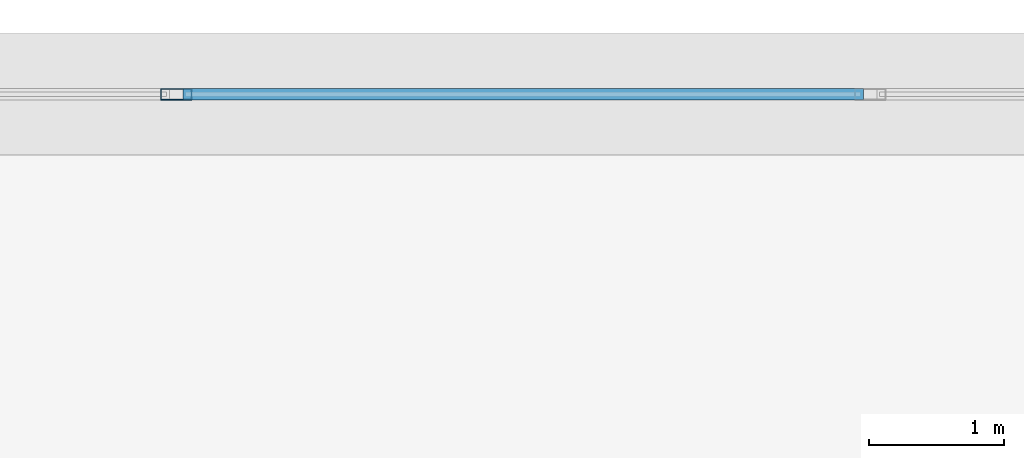
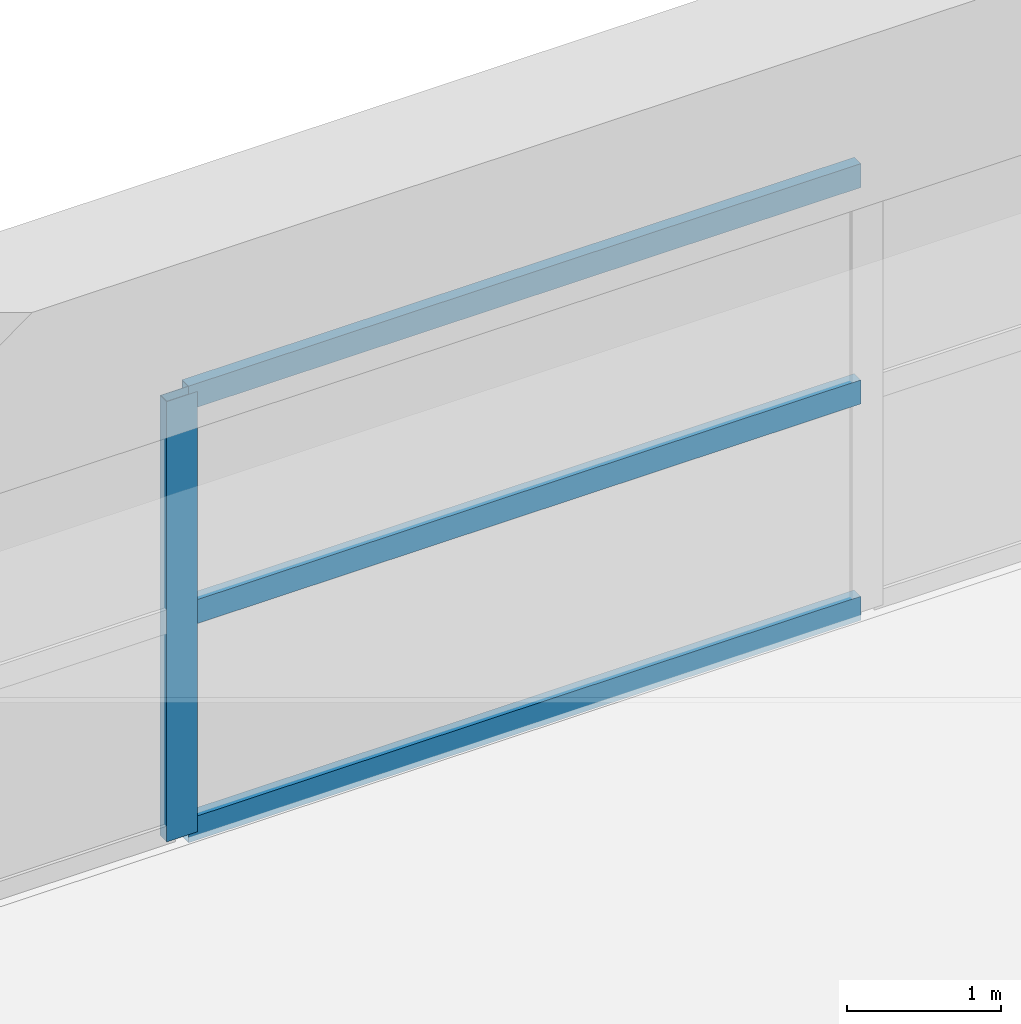
# One storey, part 17 of 35: 4 members, 1 element without a shape of its own.
"""IFC4 building model written with IfcOpenShell, lengths in metres."""

from ifc_helpers import new_model, si_unit, direction, frame, origin, origin_2d, place, context, subcontext, project, spatial, hollow_rectangle, extrude, material, material_profile, profile_set, type_object, element, aggregate, save


model = new_model("IFC4")

# Units and contexts
model_context = context("Model", 3, precision=1e-05, world=origin(), true_north=direction((0.0, 1.0)))
body_context = subcontext(model_context, "Body", "Model", "MODEL_VIEW")
ifc_project = project(units=[si_unit("LENGTHUNIT", "METRE"), si_unit("AREAUNIT", "SQUARE_METRE"), si_unit("VOLUMEUNIT", "CUBIC_METRE"), si_unit("PLANEANGLEUNIT", "RADIAN"), si_unit("MASSUNIT", "GRAM", prefix="KILO")], contexts=[model_context])

# Site, building, storey
site_placement = place(None, origin())
site = spatial("IfcSite", under=ifc_project, at=site_placement, CompositionType="ELEMENT")
building_placement = place(site_placement, origin())
building = spatial("IfcBuilding", under=site, at=building_placement, Name="Kovane Verandah Tower", CompositionType="ELEMENT")
storey_placement = place(building_placement, frame((0.0, 0.0, 16.39990234375)))
storey = spatial("IfcBuildingStorey", under=building, at=storey_placement, Name="L03", CompositionType="ELEMENT", Elevation=16.39990234375)

# Curtain wall, members
ifc_material_1 = material(Name="Champagne Anodised Aluminium Frame with Low-E Clear Laminated Glass", Category="aluminium")
curtain_wall_type = type_object("IfcCurtainWallType", Name="CW-SYS-01-POD", PredefinedType="NOTDEFINED", material=ifc_material_1)
curtain_wall_placement = place(storey_placement, origin())
curtain_wall = element("IfcCurtainWall", 1, at=curtain_wall_placement, inside=storey, type_object=curtain_wall_type, Name="L03 North Podium Curtain Wall Bay 4", PredefinedType="NOTDEFINED")
ifc_material_2 = material(Name="Champagne Anodised Aluminium 6063-T6", Category="aluminium")
ifc_material_profile_1 = material_profile(ifc_material_2, hollow_rectangle(XDim=0.0849609375, YDim=0.22998046875, WallThickness=0.00390625, at=origin_2d()), Name="AL85x230x4")
ifc_profile_set_1 = profile_set([ifc_material_profile_1], Name="Champagne Anodised Aluminium 6063-T6")
member_type_1 = type_object("IfcMemberType", Name="CW-MUL-85x230", PredefinedType="MULLION", material=ifc_profile_set_1)
member_1_placement = place(storey_placement, frame((34.860107421875, 56.5, 0.02001953125), z_axis=(0.0, 0.0, 1.0), x_axis=(0.0, 1.0, 0.0)))
member_1 = element("IfcMember", 2, at=member_1_placement, type_object=member_type_1, Name="L03 North Podium Curtain Wall Bay 4 Mullion 4", PredefinedType="MULLION", context=body_context, shape_type="SweptSolid", body=[
    extrude(hollow_rectangle(XDim=0.0849609375, YDim=0.22998046875, WallThickness=0.00390625, at=origin_2d()), origin(), (0.0, 0.0, 1.0), 3.489990234375),
])
ifc_material_profile_2 = material_profile(ifc_material_2, hollow_rectangle(XDim=0.0849609375, YDim=0.18994140625, WallThickness=0.00390625, at=origin_2d()), Name="AL85x190x4")
ifc_profile_set_2 = profile_set([ifc_material_profile_2], Name="Champagne Anodised Aluminium 6063-T6")
member_type_2 = type_object("IfcMemberType", Name="CW-TRN-85x190", PredefinedType="USERDEFINED", material=ifc_profile_set_2)
member_2_placement = place(storey_placement, frame((39.949951171875, 56.5, 0.050048828125), z_axis=(-1.0, 0.0, 0.0), x_axis=(0.0, -1.0, 0.0)))
member_2 = element("IfcMember", 3, at=member_2_placement, type_object=member_type_2, Name="L03 North Podium Curtain Wall Bay 4 Transom TB Bay 3", ObjectType="TRANSOM", PredefinedType="USERDEFINED", context=body_context, shape_type="SweptSolid", body=[
    extrude(hollow_rectangle(XDim=0.0849609375, YDim=0.18994140625, WallThickness=0.00390625, at=origin_2d()), origin(), (0.0, 0.0, 1.0), 5.0400390625),
])
member_3_placement = place(storey_placement, frame((39.949951171875, 56.5, 1.76513671875), z_axis=(-1.0, 0.0, 0.0), x_axis=(0.0, -1.0, 0.0)))
member_3 = element("IfcMember", 4, at=member_3_placement, type_object=member_type_2, Name="L03 North Podium Curtain Wall Bay 4 Transom TM Bay 3", ObjectType="TRANSOM", PredefinedType="USERDEFINED", context=body_context, shape_type="SweptSolid", body=[
    extrude(hollow_rectangle(XDim=0.0849609375, YDim=0.18994140625, WallThickness=0.00390625, at=origin_2d()), origin(), (0.0, 0.0, 1.0), 5.0400390625),
])
member_4_placement = place(storey_placement, frame((39.949951171875, 56.5, 3.47998046875), z_axis=(-1.0, 0.0, 0.0), x_axis=(0.0, -1.0, 0.0)))
member_4 = element("IfcMember", 5, at=member_4_placement, type_object=member_type_2, Name="L03 North Podium Curtain Wall Bay 4 Transom TT Bay 3", ObjectType="TRANSOM", PredefinedType="USERDEFINED", context=body_context, shape_type="SweptSolid", body=[
    extrude(hollow_rectangle(XDim=0.0849609375, YDim=0.18994140625, WallThickness=0.00390625, at=origin_2d()), origin(), (0.0, 0.0, 1.0), 5.0400390625),
])
aggregate(curtain_wall, [member_1, member_2, member_3, member_4])

save(model, "model.ifc")
